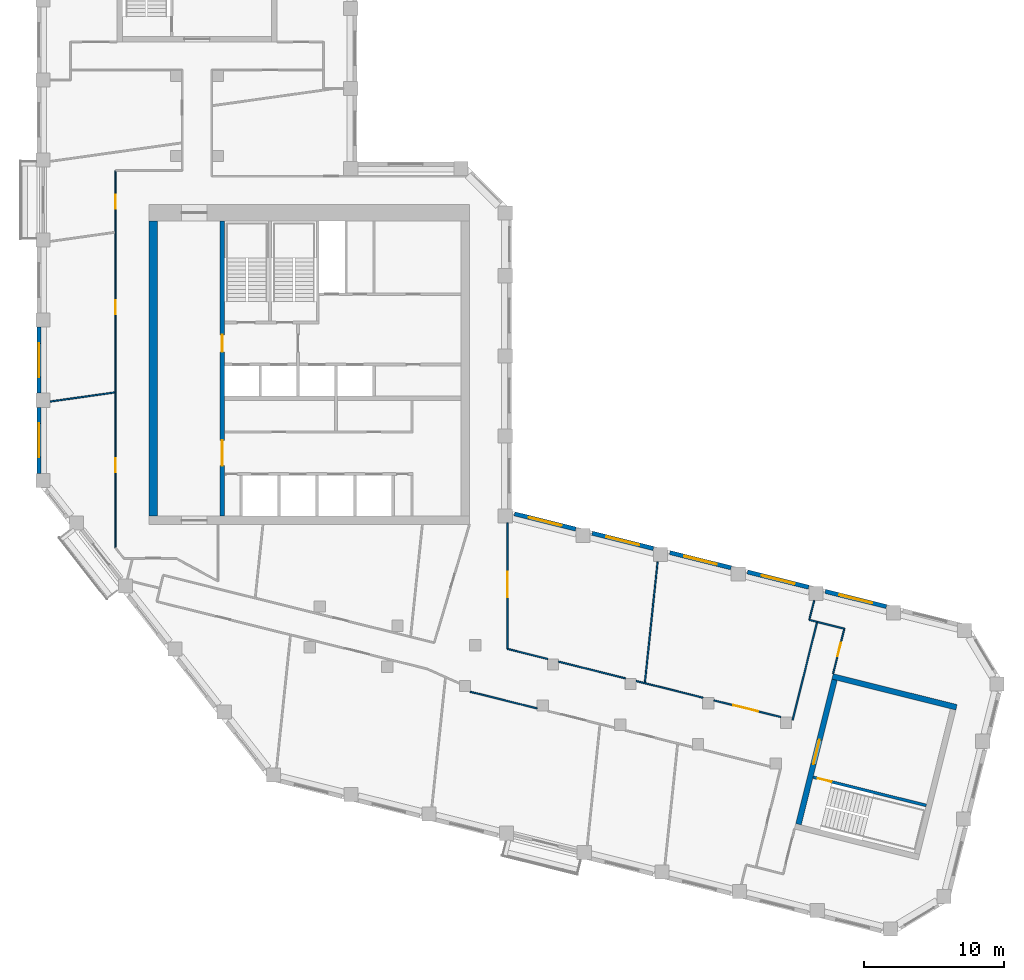
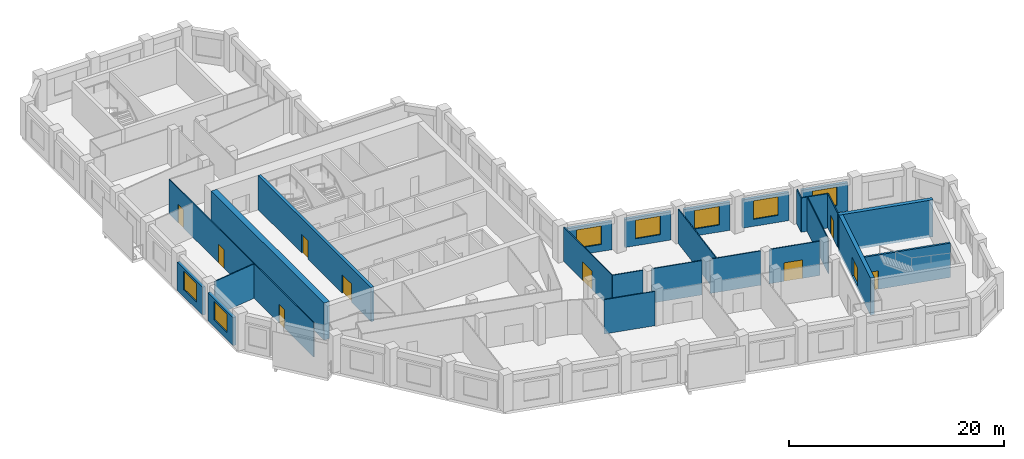
# One storey, part 4 of 9: 26 walls, 10 doors, 7 windows, 17 openings.
"""IFC4 building model written with IfcOpenShell, lengths in metres."""

from ifc_helpers import new_model, si_unit, direction, frame, frame_2d, origin, place, context, subcontext, project, spatial, rectangle, extrude, material, layer, layer_set, type_object, element, fill, save


model = new_model("IFC4")

# Units and contexts
model_context = context("Model", 3, precision=1e-05, world=origin(), true_north=direction((0.0, 1.0)))
body_context = subcontext(model_context, "Body", "Model", "MODEL_VIEW")
ifc_project = project(units=[si_unit("LENGTHUNIT", "METRE"), si_unit("AREAUNIT", "SQUARE_METRE"), si_unit("VOLUMEUNIT", "CUBIC_METRE"), si_unit("PLANEANGLEUNIT", "RADIAN"), si_unit("MASSUNIT", "GRAM", prefix="KILO")], contexts=[model_context])

# Site, building, storey
site_placement = place(None, origin())
site = spatial("IfcSite", under=ifc_project, at=site_placement, CompositionType="ELEMENT")
building_placement = place(site_placement, origin())
building = spatial("IfcBuilding", under=site, at=building_placement, Name="Meshkara Civic Tower", CompositionType="ELEMENT")
storey_placement = place(building_placement, frame((0.0, 0.0, 319.199951171875)))
storey = spatial("IfcBuildingStorey", under=building, at=storey_placement, Name="L73", CompositionType="ELEMENT", Elevation=319.199951171875)

# Wall
ifc_material_1 = material(Name="Concrete C60", Category="concrete")
ifc_layer_1 = layer(ifc_material_1, 0.60009765625)
ifc_layer_set_1 = layer_set([ifc_layer_1], Name="Core ring wall 600 C60")
wall_type_1 = type_object("IfcWallType", Name="Core ring wall 600 C60", PredefinedType="SHEAR", material=ifc_layer_set_1)
wall_1_placement = place(storey_placement, frame((8.300048828125, 14.699951171875, -0.300048828125), z_axis=(0.0, 0.0, 1.0), x_axis=(0.0, 1.0, 0.0)))
element("IfcWall", 1, at=wall_1_placement, inside=storey, type_object=wall_type_1, Name="L73-C003", PredefinedType="SHEAR", context=body_context, shape_type="SweptSolid", body=[
    extrude(rectangle(XDim=21.0, YDim=0.60009765625, at=frame_2d((10.5, 0.0))), origin(), (0.0, 0.0, 1.0), 4.2001953125),
])

# Wall, openings, doors
ifc_material_2 = material(Name="Concrete C60", Category="concrete")
ifc_layer_2 = layer(ifc_material_2, 0.300048828125)
ifc_layer_set_2 = layer_set([ifc_layer_2], Name="Core shear wall 300 C60")
wall_type_2 = type_object("IfcWallType", Name="Core shear wall 300 C60", PredefinedType="SHEAR", material=ifc_layer_set_2)
wall_2_placement = place(storey_placement, frame((13.199951171875, 14.699951171875, 0.0), z_axis=(0.0, 0.0, 1.0), x_axis=(0.0, 1.0, 0.0)))
wall_2 = element("IfcWall", 2, at=wall_2_placement, inside=storey, type_object=wall_type_2, Name="L73-C011", PredefinedType="SHEAR", context=body_context, shape_type="SweptSolid", body=[
    extrude(rectangle(XDim=21.0, YDim=0.300048828125, at=frame_2d((10.5, 0.0))), origin(), (0.0, 0.0, 1.0), 3.900146484375),
])
opening_1_placement = place(wall_2_placement, frame((3.60009765625, 0.0, 0.0)))
opening_1 = element("IfcOpeningElement", 3, at=opening_1_placement, cuts=wall_2, Name="Opening L73-K019", PredefinedType="OPENING", context=body_context, shape_type="SweptSolid", body=[
    extrude(rectangle(XDim=1.800048828125, YDim=2.10009765625, at=frame_2d((0.89990234375, 1.050048828125))), frame((0.0, 0.159912109375, 0.0), z_axis=(0.0, -1.0, 0.0), x_axis=(1.0, 0.0, 0.0)), (0.0, 0.0, 1.0), 0.320068359375),
])
opening_2_placement = place(wall_2_placement, frame((11.699951171875, 0.0, 0.0)))
opening_2 = element("IfcOpeningElement", 4, at=opening_2_placement, cuts=wall_2, Name="Opening L73-K020", PredefinedType="OPENING", context=body_context, shape_type="SweptSolid", body=[
    extrude(rectangle(XDim=1.199951171875, YDim=2.10009765625, at=frame_2d((0.60009765625, 1.050048828125))), frame((0.0, 0.159912109375, 0.0), z_axis=(0.0, -1.0, 0.0), x_axis=(1.0, 0.0, 0.0)), (0.0, 0.0, 1.0), 0.320068359375),
])
ifc_material_3 = material(Name="Fire-rated door leaf in steel frame", Category="steel")
door_type_1 = type_object("IfcDoorType", Name="Core double door 1800 EI 60", OperationType="DOUBLE_DOOR_SINGLE_SWING", PredefinedType="DOOR", material=ifc_material_3)
door_1_placement = place(opening_1_placement, origin())
door_1 = element("IfcDoor", 5, at=door_1_placement, inside=storey, type_object=door_type_1, Name="L73-K019", OperationType="DOUBLE_DOOR_SINGLE_SWING", OverallHeight=2.10009765625, OverallWidth=1.800048828125, PredefinedType="DOOR", context=body_context, shape_type="SweptSolid", body=[
    extrude(rectangle(XDim=1.800048828125, YDim=2.10009765625, at=frame_2d((0.89990234375, 1.050048828125))), frame((0.0, 0.02490234375, 0.0), z_axis=(0.0, -1.0, 0.0), x_axis=(1.0, 0.0, 0.0)), (0.0, 0.0, 1.0), 0.050048828125),
])
fill(opening_1, door_1)
ifc_material_4 = material(Name="Fire-rated door leaf in steel frame", Category="steel")
door_type_2 = type_object("IfcDoorType", Name="Fire-fighting lobby door 1200 EI 120", OperationType="SINGLE_SWING_LEFT", PredefinedType="DOOR", material=ifc_material_4)
door_2_placement = place(opening_2_placement, origin())
door_2 = element("IfcDoor", 6, at=door_2_placement, inside=storey, type_object=door_type_2, Name="L73-K020", OperationType="SINGLE_SWING_LEFT", OverallHeight=2.10009765625, OverallWidth=1.199951171875, PredefinedType="DOOR", context=body_context, shape_type="SweptSolid", body=[
    extrude(rectangle(XDim=1.199951171875, YDim=2.10009765625, at=frame_2d((0.60009765625, 1.050048828125))), frame((0.0, 0.02490234375, 0.0), z_axis=(0.0, -1.0, 0.0), x_axis=(1.0, 0.0, 0.0)), (0.0, 0.0, 1.0), 0.050048828125),
])
fill(opening_2, door_2)

ifc_material_5 = material(Name="Corridor wall 100")
ifc_layer_3 = layer(ifc_material_5, 0.10009765625)
ifc_layer_set_3 = layer_set([ifc_layer_3], Name="Corridor wall 100")
wall_type_3 = type_object("IfcWallType", Name="Corridor wall 100", PredefinedType="PARTITIONING", material=ifc_layer_set_3)
wall_3_placement = place(storey_placement, frame((5.60009765625, 12.449951171875, 0.0), z_axis=(0.0, 0.0, 1.0), x_axis=(0.0, 1.0, 0.0)))
wall_3 = element("IfcWall", 7, at=wall_3_placement, inside=storey, type_object=wall_type_3, Name="L73-W003", PredefinedType="PARTITIONING", context=body_context, shape_type="SweptSolid", body=[
    extrude(rectangle(XDim=26.85009765625, YDim=0.10009765625, at=frame_2d((13.425048828125, 0.0))), origin(), (0.0, 0.0, 1.0), 3.900146484375),
])
opening_3_placement = place(wall_3_placement, frame((5.3798828125, 0.0, 0.0)))
opening_3 = element("IfcOpeningElement", 8, at=opening_3_placement, cuts=wall_3, Name="Opening L73-D013", PredefinedType="OPENING", context=body_context, shape_type="SweptSolid", body=[
    extrude(rectangle(XDim=1.0, YDim=2.10009765625, at=frame_2d((0.5, 1.050048828125))), frame((0.0, 0.06005859375, 0.0), z_axis=(0.0, -1.0, 0.0), x_axis=(1.0, 0.0, 0.0)), (0.0, 0.0, 1.0), 0.1201171875),
])
opening_4_placement = place(wall_3_placement, frame((16.638916015625, 0.0, 0.0)))
opening_4 = element("IfcOpeningElement", 9, at=opening_4_placement, cuts=wall_3, Name="Opening L73-D014", PredefinedType="OPENING", context=body_context, shape_type="SweptSolid", body=[
    extrude(rectangle(XDim=1.0, YDim=2.10009765625, at=frame_2d((0.5, 1.050048828125))), frame((0.0, 0.06005859375, 0.0), z_axis=(0.0, -1.0, 0.0), x_axis=(1.0, 0.0, 0.0)), (0.0, 0.0, 1.0), 0.1201171875),
])
opening_5_placement = place(wall_3_placement, frame((24.138916015625, 0.0, 0.0)))
opening_5 = element("IfcOpeningElement", 10, at=opening_5_placement, cuts=wall_3, Name="Opening L73-D015", PredefinedType="OPENING", context=body_context, shape_type="SweptSolid", body=[
    extrude(rectangle(XDim=1.0, YDim=2.10009765625, at=frame_2d((0.5, 1.050048828125))), frame((0.0, 0.06005859375, 0.0), z_axis=(0.0, -1.0, 0.0), x_axis=(1.0, 0.0, 0.0)), (0.0, 0.0, 1.0), 0.1201171875),
])
ifc_material_6 = material(Name="Door 1000 x 2100")
door_type_3 = type_object("IfcDoorType", Name="Door 1000 x 2100", OperationType="SINGLE_SWING_LEFT", PredefinedType="DOOR", material=ifc_material_6)
door_3_placement = place(opening_3_placement, origin())
door_3 = element("IfcDoor", 11, at=door_3_placement, inside=storey, type_object=door_type_3, Name="L73-D013", OperationType="SINGLE_SWING_RIGHT", OverallHeight=2.10009765625, OverallWidth=1.0, PredefinedType="DOOR", context=body_context, shape_type="SweptSolid", body=[
    extrude(rectangle(XDim=1.0, YDim=2.10009765625, at=frame_2d((0.5, 1.050048828125))), frame((0.0, 0.02490234375, 0.0), z_axis=(0.0, -1.0, 0.0), x_axis=(1.0, 0.0, 0.0)), (0.0, 0.0, 1.0), 0.050048828125),
])
fill(opening_3, door_3)
door_4_placement = place(opening_4_placement, origin())
door_4 = element("IfcDoor", 12, at=door_4_placement, inside=storey, type_object=door_type_3, Name="L73-D014", OperationType="SINGLE_SWING_RIGHT", OverallHeight=2.10009765625, OverallWidth=1.0, PredefinedType="DOOR", context=body_context, shape_type="SweptSolid", body=[
    extrude(rectangle(XDim=1.0, YDim=2.10009765625, at=frame_2d((0.5, 1.050048828125))), frame((0.0, 0.02490234375, 0.0), z_axis=(0.0, -1.0, 0.0), x_axis=(1.0, 0.0, 0.0)), (0.0, 0.0, 1.0), 0.050048828125),
])
fill(opening_4, door_4)
door_5_placement = place(opening_5_placement, origin())
door_5 = element("IfcDoor", 13, at=door_5_placement, inside=storey, type_object=door_type_3, Name="L73-D015", OperationType="SINGLE_SWING_LEFT", OverallHeight=2.10009765625, OverallWidth=1.0, PredefinedType="DOOR", context=body_context, shape_type="SweptSolid", body=[
    extrude(rectangle(XDim=1.0, YDim=2.10009765625, at=frame_2d((0.5, 1.050048828125))), frame((0.0, 0.02490234375, 0.0), z_axis=(0.0, -1.0, 0.0), x_axis=(1.0, 0.0, 0.0)), (0.0, 0.0, 1.0), 0.050048828125),
])
fill(opening_5, door_5)

# Wall
wall_4_placement = place(storey_placement, frame((30.84912109375, 2.201904296875, 0.0), z_axis=(0.0, 0.0, 1.0), x_axis=(0.970320559999, -0.241822271189, 0.0)))
element("IfcWall", 14, at=wall_4_placement, inside=storey, type_object=wall_type_3, Name="L73-W020", PredefinedType="PARTITIONING", context=body_context, shape_type="SweptSolid", body=[
    extrude(rectangle(XDim=4.91259765625, YDim=0.10009765625, at=frame_2d((2.456298828125, 0.0))), origin(), (0.0, 0.0, 1.0), 3.900146484375),
])

# Wall, opening, door
wall_5_placement = place(storey_placement, frame((33.5, 5.2509765625, 0.0), z_axis=(0.0, 0.0, 1.0), x_axis=(0.0, 1.0, 0.0)))
wall_5 = element("IfcWall", 15, at=wall_5_placement, inside=storey, type_object=wall_type_3, Name="L73-W022", PredefinedType="PARTITIONING", context=body_context, shape_type="SweptSolid", body=[
    extrude(rectangle(XDim=8.968017578125, YDim=0.10009765625, at=frame_2d((4.48388671875, 0.0))), origin(), (0.0, 0.0, 1.0), 3.900146484375),
])
opening_6_placement = place(wall_5_placement, frame((3.679931640625, 0.0, 0.0)))
opening_6 = element("IfcOpeningElement", 16, at=opening_6_placement, cuts=wall_5, Name="Opening L73-D012", PredefinedType="OPENING", context=body_context, shape_type="SweptSolid", body=[
    extrude(rectangle(XDim=1.800048828125, YDim=2.10009765625, at=frame_2d((0.89990234375, 1.050048828125))), frame((0.0, 0.06005859375, 0.0), z_axis=(0.0, -1.0, 0.0), x_axis=(1.0, 0.0, 0.0)), (0.0, 0.0, 1.0), 0.1201171875),
])
ifc_material_7 = material(Name="Door pair 1800 x 2100")
door_type_4 = type_object("IfcDoorType", Name="Door pair 1800 x 2100", OperationType="SINGLE_SWING_LEFT", PredefinedType="DOOR", material=ifc_material_7)
door_6_placement = place(opening_6_placement, origin())
door_6 = element("IfcDoor", 17, at=door_6_placement, inside=storey, type_object=door_type_4, Name="L73-D012", OperationType="DOUBLE_DOOR_SINGLE_SWING", OverallHeight=2.10009765625, OverallWidth=1.800048828125, PredefinedType="DOOR", context=body_context, shape_type="SweptSolid", body=[
    extrude(rectangle(XDim=1.800048828125, YDim=2.10009765625, at=frame_2d((0.89990234375, 1.050048828125))), frame((0.0, 0.02490234375, 0.0), z_axis=(0.0, -1.0, 0.0), x_axis=(1.0, 0.0, 0.0)), (0.0, 0.0, 1.0), 0.050048828125),
])
fill(opening_6, door_6)

# Walls
wall_6_placement = place(storey_placement, frame((36.376953125, 4.533935546875, 0.0), z_axis=(0.0, 0.0, 1.0), x_axis=(-0.97031662044, 0.241838078261, 0.0)))
element("IfcWall", 18, at=wall_6_placement, inside=storey, type_object=wall_type_3, Name="L73-W024", PredefinedType="PARTITIONING", context=body_context, shape_type="SweptSolid", body=[
    extrude(rectangle(XDim=2.96484375, YDim=0.10009765625, at=frame_2d((1.482421875, 0.0))), origin(), (0.0, 0.0, 1.0), 3.900146484375),
])
wall_7_placement = place(storey_placement, frame((41.908935546875, 3.155029296875, 0.0), z_axis=(0.0, 0.0, 1.0), x_axis=(-0.970320559999, 0.241822271189, 0.0)))
element("IfcWall", 19, at=wall_7_placement, inside=storey, type_object=wall_type_3, Name="L73-W026", PredefinedType="PARTITIONING", context=body_context, shape_type="SweptSolid", body=[
    extrude(rectangle(XDim=4.91259765625, YDim=0.10009765625, at=frame_2d((2.456298828125, 0.0))), origin(), (0.0, 0.0, 1.0), 3.900146484375),
])
wall_8_placement = place(storey_placement, frame((42.672119140625, 2.965087890625, 0.0), z_axis=(0.0, 0.0, 1.0), x_axis=(0.970273873313, -0.242009526187, 0.0)))
element("IfcWall", 20, at=wall_8_placement, inside=storey, type_object=wall_type_3, Name="L73-W027", PredefinedType="PARTITIONING", context=body_context, shape_type="SweptSolid", body=[
    extrude(rectangle(XDim=4.913818359375, YDim=0.10009765625, at=frame_2d((2.45703125, 0.0))), origin(), (0.0, 0.0, 1.0), 3.900146484375),
])

# Wall, opening, door
wall_9_placement = place(storey_placement, frame((52.971923828125, 0.39697265625, 0.0), z_axis=(0.0, 0.0, 1.0), x_axis=(-0.970300077675, 0.241904442422, 0.0)))
wall_9 = element("IfcWall", 21, at=wall_9_placement, inside=storey, type_object=wall_type_3, Name="L73-W031", PredefinedType="PARTITIONING", context=body_context, shape_type="SweptSolid", body=[
    extrude(rectangle(XDim=4.9150390625, YDim=0.10009765625, at=frame_2d((2.45751953125, 0.0))), origin(), (0.0, 0.0, 1.0), 3.900146484375),
])
opening_7_placement = place(wall_9_placement, frame((1.679931640625, 0.0, 0.0)))
opening_7 = element("IfcOpeningElement", 22, at=opening_7_placement, cuts=wall_9, Name="Opening L73-D006", PredefinedType="OPENING", context=body_context, shape_type="SweptSolid", body=[
    extrude(rectangle(XDim=1.800048828125, YDim=2.10009765625, at=frame_2d((0.89990234375, 1.050048828125))), frame((0.0, 0.06005859375, 0.0), z_axis=(0.0, -1.0, 0.0), x_axis=(1.0, 0.0, 0.0)), (0.0, 0.0, 1.0), 0.1201171875),
])
door_7_placement = place(opening_7_placement, origin())
door_7 = element("IfcDoor", 23, at=door_7_placement, inside=storey, type_object=door_type_4, Name="L73-D006", OperationType="DOUBLE_DOOR_SINGLE_SWING", OverallHeight=2.10009765625, OverallWidth=1.800048828125, PredefinedType="DOOR", context=body_context, shape_type="SweptSolid", body=[
    extrude(rectangle(XDim=1.800048828125, YDim=2.10009765625, at=frame_2d((0.89990234375, 1.050048828125))), frame((0.0, 0.02490234375, 0.0), z_axis=(0.0, -1.0, 0.0), x_axis=(1.0, 0.0, 0.0)), (0.0, 0.0, 1.0), 0.050048828125),
])
fill(opening_7, door_7)

# Wall
wall_10_placement = place(storey_placement, frame((55.555908203125, 7.173095703125, 0.0), z_axis=(0.0, 0.0, 1.0), x_axis=(-0.241937193493, -0.970291911955, 0.0)))
element("IfcWall", 24, at=wall_10_placement, inside=storey, type_object=wall_type_3, Name="L73-W033", PredefinedType="PARTITIONING", context=body_context, shape_type="SweptSolid", body=[
    extrude(rectangle(XDim=7.199951171875, YDim=0.10009765625, at=frame_2d((3.60009765625, 0.0))), origin(), (0.0, 0.0, 1.0), 3.900146484375),
])

# Wall, opening, door
wall_11_placement = place(storey_placement, frame((56.697998046875, 3.487060546875, 0.0), z_axis=(0.0, 0.0, 1.0), x_axis=(0.241856645367, 0.970311992656, 0.0)))
wall_11 = element("IfcWall", 25, at=wall_11_placement, inside=storey, type_object=wall_type_3, Name="L73-W034", PredefinedType="PARTITIONING", context=body_context, shape_type="SweptSolid", body=[
    extrude(rectangle(XDim=3.2998046875, YDim=0.10009765625, at=frame_2d((1.64990234375, 0.0))), origin(), (0.0, 0.0, 1.0), 3.900146484375),
])
opening_8_placement = place(wall_11_placement, frame((1.280029296875, 0.0, 0.0)))
opening_8 = element("IfcOpeningElement", 26, at=opening_8_placement, cuts=wall_11, Name="Opening L73-D007", PredefinedType="OPENING", context=body_context, shape_type="SweptSolid", body=[
    extrude(rectangle(XDim=1.0, YDim=2.10009765625, at=frame_2d((0.5, 1.050048828125))), frame((0.0, 0.06005859375, 0.0), z_axis=(0.0, -1.0, 0.0), x_axis=(1.0, 0.0, 0.0)), (0.0, 0.0, 1.0), 0.1201171875),
])
door_8_placement = place(opening_8_placement, origin())
door_8 = element("IfcDoor", 27, at=door_8_placement, inside=storey, type_object=door_type_3, Name="L73-D007", OperationType="SINGLE_SWING_LEFT", OverallHeight=2.10009765625, OverallWidth=1.0, PredefinedType="DOOR", context=body_context, shape_type="SweptSolid", body=[
    extrude(rectangle(XDim=1.0, YDim=2.10009765625, at=frame_2d((0.5, 1.050048828125))), frame((0.0, 0.02490234375, 0.0), z_axis=(0.0, -1.0, 0.0), x_axis=(1.0, 0.0, 0.0)), (0.0, 0.0, 1.0), 0.050048828125),
])
fill(opening_8, door_8)

# Wall
wall_12_placement = place(storey_placement, frame((57.49609375, 6.68896484375, 0.0), z_axis=(0.0, 0.0, 1.0), x_axis=(-0.970250131019, 0.242104694829, 0.0)))
element("IfcWall", 28, at=wall_12_placement, inside=storey, type_object=wall_type_3, Name="L73-W035", PredefinedType="PARTITIONING", context=body_context, shape_type="SweptSolid", body=[
    extrude(rectangle(XDim=1.999755859375, YDim=0.10009765625, at=frame_2d((1.0, 0.0))), origin(), (0.0, 0.0, 1.0), 3.900146484375),
])

# Wall, opening, window
ifc_material_8 = material(Name="Insulated infill panel with bronze anodised aluminium cladding", Category="aluminium")
ifc_layer_4 = layer(ifc_material_8, 0.300048828125)
ifc_layer_set_4 = layer_set([ifc_layer_4], Name="EXTERNAL INFILL WALL 300")
wall_type_4 = type_object("IfcWallType", Name="EXTERNAL INFILL WALL 300", PredefinedType="SOLIDWALL", material=ifc_layer_set_4)
wall_13_placement = place(storey_placement, frame((60.488037109375, 8.261962890625, 0.0), z_axis=(0.0, 0.0, 1.0), x_axis=(-0.970276766004, 0.241997928406, 0.0)))
wall_13 = element("IfcWall", 29, at=wall_13_placement, inside=storey, type_object=wall_type_4, Name="External wall", PredefinedType="SOLIDWALL", context=body_context, shape_type="SweptSolid", body=[
    extrude(rectangle(XDim=4.4873046875, YDim=0.300048828125, at=frame_2d((2.24365234375, 0.0))), origin(), (0.0, 0.0, 1.0), 3.199951171875),
])
opening_9_placement = place(wall_13_placement, frame((1.0439453125, 0.0, 0.800048828125)))
opening_9 = element("IfcOpeningElement", 30, at=opening_9_placement, cuts=wall_13, Name="Opening W7", PredefinedType="OPENING", context=body_context, shape_type="SweptSolid", body=[
    extrude(rectangle(XDim=2.39990234375, YDim=2.10009765625, at=frame_2d((1.199951171875, 1.050048828125))), frame((0.0, 0.159912109375, 0.0), z_axis=(0.0, -1.0, 0.0), x_axis=(1.0, 0.0, 0.0)), (0.0, 0.0, 1.0), 0.320068359375),
])
ifc_material_9 = material(Name="Tinted double glazing", Category="glass")
window_type = type_object("IfcWindowType", Name="WINDOW 2400x2100", PartitioningType="DOUBLE_PANEL_VERTICAL", PredefinedType="WINDOW", material=ifc_material_9)
window_1_placement = place(opening_9_placement, origin())
window_1 = element("IfcWindow", 31, at=window_1_placement, inside=storey, type_object=window_type, Name="Window", OverallHeight=2.10009765625, OverallWidth=2.39990234375, PartitioningType="DOUBLE_PANEL_VERTICAL", PredefinedType="WINDOW", context=body_context, shape_type="SweptSolid", body=[
    extrude(rectangle(XDim=2.39990234375, YDim=2.10009765625, at=frame_2d((1.199951171875, 1.050048828125))), frame((0.0, 0.030029296875, 0.0), z_axis=(0.0, -1.0, 0.0), x_axis=(1.0, 0.0, 0.0)), (0.0, 0.0, 1.0), 0.06005859375),
])
fill(opening_9, window_1)

wall_14_placement = place(storey_placement, frame((54.9580078125, 9.64111328125, 0.0), z_axis=(0.0, 0.0, 1.0), x_axis=(-0.970289506684, 0.241946839653, 0.0)))
wall_14 = element("IfcWall", 32, at=wall_14_placement, inside=storey, type_object=wall_type_4, Name="External wall", PredefinedType="SOLIDWALL", context=body_context, shape_type="SweptSolid", body=[
    extrude(rectangle(XDim=4.48828125, YDim=0.300048828125, at=frame_2d((2.244140625, 0.0))), origin(), (0.0, 0.0, 1.0), 3.199951171875),
])
opening_10_placement = place(wall_14_placement, frame((1.0439453125, 0.0, 0.800048828125)))
opening_10 = element("IfcOpeningElement", 33, at=opening_10_placement, cuts=wall_14, Name="Opening W7", PredefinedType="OPENING", context=body_context, shape_type="SweptSolid", body=[
    extrude(rectangle(XDim=2.39990234375, YDim=2.10009765625, at=frame_2d((1.199951171875, 1.050048828125))), frame((0.0, 0.159912109375, 0.0), z_axis=(0.0, -1.0, 0.0), x_axis=(1.0, 0.0, 0.0)), (0.0, 0.0, 1.0), 0.320068359375),
])
window_2_placement = place(opening_10_placement, origin())
window_2 = element("IfcWindow", 34, at=window_2_placement, inside=storey, type_object=window_type, Name="Window", OverallHeight=2.10009765625, OverallWidth=2.39990234375, PartitioningType="DOUBLE_PANEL_VERTICAL", PredefinedType="WINDOW", context=body_context, shape_type="SweptSolid", body=[
    extrude(rectangle(XDim=2.39990234375, YDim=2.10009765625, at=frame_2d((1.199951171875, 1.050048828125))), frame((0.0, 0.030029296875, 0.0), z_axis=(0.0, -1.0, 0.0), x_axis=(1.0, 0.0, 0.0)), (0.0, 0.0, 1.0), 0.06005859375),
])
fill(opening_10, window_2)

wall_15_placement = place(storey_placement, frame((49.427001953125, 11.02001953125, 0.0), z_axis=(0.0, 0.0, 1.0), x_axis=(-0.970289506684, 0.241946839653, 0.0)))
wall_15 = element("IfcWall", 35, at=wall_15_placement, inside=storey, type_object=wall_type_4, Name="External wall", PredefinedType="SOLIDWALL", context=body_context, shape_type="SweptSolid", body=[
    extrude(rectangle(XDim=4.48828125, YDim=0.300048828125, at=frame_2d((2.244140625, 0.0))), origin(), (0.0, 0.0, 1.0), 3.199951171875),
])
opening_11_placement = place(wall_15_placement, frame((1.0439453125, 0.0, 0.800048828125)))
opening_11 = element("IfcOpeningElement", 36, at=opening_11_placement, cuts=wall_15, Name="Opening W7", PredefinedType="OPENING", context=body_context, shape_type="SweptSolid", body=[
    extrude(rectangle(XDim=2.39990234375, YDim=2.10009765625, at=frame_2d((1.199951171875, 1.050048828125))), frame((0.0, 0.159912109375, 0.0), z_axis=(0.0, -1.0, 0.0), x_axis=(1.0, 0.0, 0.0)), (0.0, 0.0, 1.0), 0.320068359375),
])
window_3_placement = place(opening_11_placement, origin())
window_3 = element("IfcWindow", 37, at=window_3_placement, inside=storey, type_object=window_type, Name="Window", OverallHeight=2.10009765625, OverallWidth=2.39990234375, PartitioningType="DOUBLE_PANEL_VERTICAL", PredefinedType="WINDOW", context=body_context, shape_type="SweptSolid", body=[
    extrude(rectangle(XDim=2.39990234375, YDim=2.10009765625, at=frame_2d((1.199951171875, 1.050048828125))), frame((0.0, 0.030029296875, 0.0), z_axis=(0.0, -1.0, 0.0), x_axis=(1.0, 0.0, 0.0)), (0.0, 0.0, 1.0), 0.06005859375),
])
fill(opening_11, window_3)

wall_16_placement = place(storey_placement, frame((43.89599609375, 12.39892578125, 0.0), z_axis=(0.0, 0.0, 1.0), x_axis=(-0.970263990019, 0.242049147224, 0.0)))
wall_16 = element("IfcWall", 38, at=wall_16_placement, inside=storey, type_object=wall_type_4, Name="External wall", PredefinedType="SOLIDWALL", context=body_context, shape_type="SweptSolid", body=[
    extrude(rectangle(XDim=4.487548828125, YDim=0.300048828125, at=frame_2d((2.24365234375, 0.0))), origin(), (0.0, 0.0, 1.0), 3.199951171875),
])
opening_12_placement = place(wall_16_placement, frame((1.0439453125, 0.0, 0.800048828125)))
opening_12 = element("IfcOpeningElement", 39, at=opening_12_placement, cuts=wall_16, Name="Opening W7", PredefinedType="OPENING", context=body_context, shape_type="SweptSolid", body=[
    extrude(rectangle(XDim=2.39990234375, YDim=2.10009765625, at=frame_2d((1.199951171875, 1.050048828125))), frame((0.0, 0.159912109375, 0.0), z_axis=(0.0, -1.0, 0.0), x_axis=(1.0, 0.0, 0.0)), (0.0, 0.0, 1.0), 0.320068359375),
])
window_4_placement = place(opening_12_placement, origin())
window_4 = element("IfcWindow", 40, at=window_4_placement, inside=storey, type_object=window_type, Name="Window", OverallHeight=2.10009765625, OverallWidth=2.39990234375, PartitioningType="DOUBLE_PANEL_VERTICAL", PredefinedType="WINDOW", context=body_context, shape_type="SweptSolid", body=[
    extrude(rectangle(XDim=2.39990234375, YDim=2.10009765625, at=frame_2d((1.199951171875, 1.050048828125))), frame((0.0, 0.030029296875, 0.0), z_axis=(0.0, -1.0, 0.0), x_axis=(1.0, 0.0, 0.0)), (0.0, 0.0, 1.0), 0.06005859375),
])
fill(opening_12, window_4)

wall_17_placement = place(storey_placement, frame((38.365966796875, 13.778076171875, 0.0), z_axis=(0.0, 0.0, 1.0), x_axis=(-0.970289506684, 0.241946839653, 0.0)))
wall_17 = element("IfcWall", 41, at=wall_17_placement, inside=storey, type_object=wall_type_4, Name="External wall", PredefinedType="SOLIDWALL", context=body_context, shape_type="SweptSolid", body=[
    extrude(rectangle(XDim=4.48828125, YDim=0.300048828125, at=frame_2d((2.244140625, 0.0))), origin(), (0.0, 0.0, 1.0), 3.199951171875),
])
opening_13_placement = place(wall_17_placement, frame((1.0439453125, 0.0, 0.800048828125)))
opening_13 = element("IfcOpeningElement", 42, at=opening_13_placement, cuts=wall_17, Name="Opening W7", PredefinedType="OPENING", context=body_context, shape_type="SweptSolid", body=[
    extrude(rectangle(XDim=2.39990234375, YDim=2.10009765625, at=frame_2d((1.199951171875, 1.050048828125))), frame((0.0, 0.159912109375, 0.0), z_axis=(0.0, -1.0, 0.0), x_axis=(1.0, 0.0, 0.0)), (0.0, 0.0, 1.0), 0.320068359375),
])
window_5_placement = place(opening_13_placement, origin())
window_5 = element("IfcWindow", 43, at=window_5_placement, inside=storey, type_object=window_type, Name="Window", OverallHeight=2.10009765625, OverallWidth=2.39990234375, PartitioningType="DOUBLE_PANEL_VERTICAL", PredefinedType="WINDOW", context=body_context, shape_type="SweptSolid", body=[
    extrude(rectangle(XDim=2.39990234375, YDim=2.10009765625, at=frame_2d((1.199951171875, 1.050048828125))), frame((0.0, 0.030029296875, 0.0), z_axis=(0.0, -1.0, 0.0), x_axis=(1.0, 0.0, 0.0)), (0.0, 0.0, 1.0), 0.06005859375),
])
fill(opening_13, window_5)

wall_18_placement = place(storey_placement, frame((0.14990234375, 28.155029296875, 0.0), z_axis=(0.0, 0.0, 1.0), x_axis=(0.0, -1.0, 0.0)))
wall_18 = element("IfcWall", 44, at=wall_18_placement, inside=storey, type_object=wall_type_4, Name="External wall", PredefinedType="SOLIDWALL", context=body_context, shape_type="SweptSolid", body=[
    extrude(rectangle(XDim=4.699951171875, YDim=0.300048828125, at=frame_2d((2.35009765625, 0.0))), origin(), (0.0, 0.0, 1.0), 3.199951171875),
])
opening_14_placement = place(wall_18_placement, frame((1.14990234375, 0.0, 0.800048828125)))
opening_14 = element("IfcOpeningElement", 45, at=opening_14_placement, cuts=wall_18, Name="Opening W7", PredefinedType="OPENING", context=body_context, shape_type="SweptSolid", body=[
    extrude(rectangle(XDim=2.39990234375, YDim=2.10009765625, at=frame_2d((1.199951171875, 1.050048828125))), frame((0.0, 0.159912109375, 0.0), z_axis=(0.0, -1.0, 0.0), x_axis=(1.0, 0.0, 0.0)), (0.0, 0.0, 1.0), 0.320068359375),
])
window_6_placement = place(opening_14_placement, origin())
window_6 = element("IfcWindow", 46, at=window_6_placement, inside=storey, type_object=window_type, Name="Window", OverallHeight=2.10009765625, OverallWidth=2.39990234375, PartitioningType="DOUBLE_PANEL_VERTICAL", PredefinedType="WINDOW", context=body_context, shape_type="SweptSolid", body=[
    extrude(rectangle(XDim=2.39990234375, YDim=2.10009765625, at=frame_2d((1.199951171875, 1.050048828125))), frame((0.0, 0.030029296875, 0.0), z_axis=(0.0, -1.0, 0.0), x_axis=(1.0, 0.0, 0.0)), (0.0, 0.0, 1.0), 0.06005859375),
])
fill(opening_14, window_6)

wall_19_placement = place(storey_placement, frame((0.14990234375, 22.455078125, 0.0), z_axis=(0.0, 0.0, 1.0), x_axis=(0.0, -1.0, 0.0)))
wall_19 = element("IfcWall", 47, at=wall_19_placement, inside=storey, type_object=wall_type_4, Name="External wall", PredefinedType="SOLIDWALL", context=body_context, shape_type="SweptSolid", body=[
    extrude(rectangle(XDim=4.7001953125, YDim=0.300048828125, at=frame_2d((2.35009765625, 0.0))), origin(), (0.0, 0.0, 1.0), 3.199951171875),
])
opening_15_placement = place(wall_19_placement, frame((1.14990234375, 0.0, 0.800048828125)))
opening_15 = element("IfcOpeningElement", 48, at=opening_15_placement, cuts=wall_19, Name="Opening W7", PredefinedType="OPENING", context=body_context, shape_type="SweptSolid", body=[
    extrude(rectangle(XDim=2.39990234375, YDim=2.10009765625, at=frame_2d((1.199951171875, 1.050048828125))), frame((0.0, 0.159912109375, 0.0), z_axis=(0.0, -1.0, 0.0), x_axis=(1.0, 0.0, 0.0)), (0.0, 0.0, 1.0), 0.320068359375),
])
window_7_placement = place(opening_15_placement, origin())
window_7 = element("IfcWindow", 49, at=window_7_placement, inside=storey, type_object=window_type, Name="Window", OverallHeight=2.10009765625, OverallWidth=2.39990234375, PartitioningType="DOUBLE_PANEL_VERTICAL", PredefinedType="WINDOW", context=body_context, shape_type="SweptSolid", body=[
    extrude(rectangle(XDim=2.39990234375, YDim=2.10009765625, at=frame_2d((1.199951171875, 1.050048828125))), frame((0.0, 0.030029296875, 0.0), z_axis=(0.0, -1.0, 0.0), x_axis=(1.0, 0.0, 0.0)), (0.0, 0.0, 1.0), 0.06005859375),
])
fill(opening_15, window_7)

# Wall
ifc_material_10 = material(Name="Concrete C60", Category="concrete")
ifc_layer_5 = layer(ifc_material_10, 0.39990234375)
ifc_layer_set_5 = layer_set([ifc_layer_5], Name="End core ring wall 400 C60")
wall_type_5 = type_object("IfcWallType", Name="End core ring wall 400 C60", PredefinedType="SHEAR", material=ifc_layer_set_5)
wall_20_placement = place(storey_placement, frame((56.64892578125, 3.29296875, -0.300048828125), z_axis=(0.0, 0.0, 1.0), x_axis=(0.970312696888, -0.241853820019, 0.0)))
element("IfcWall", 50, at=wall_20_placement, inside=storey, type_object=wall_type_5, Name="L73-C033", PredefinedType="SHEAR", context=body_context, shape_type="SweptSolid", body=[
    extrude(rectangle(XDim=9.100341796875, YDim=0.39990234375, at=frame_2d((4.55029296875, 0.0))), origin(), (0.0, 0.0, 1.0), 4.2001953125),
])

# Wall, opening, door
wall_21_placement = place(storey_placement, frame((54.23095703125, -7.23388671875, -0.300048828125), z_axis=(0.0, 0.0, 1.0), x_axis=(0.241890652548, 0.970303515509, 0.0)))
wall_21 = element("IfcWall", 51, at=wall_21_placement, inside=storey, type_object=wall_type_5, Name="L73-C034", PredefinedType="SHEAR", context=body_context, shape_type="SweptSolid", body=[
    extrude(rectangle(XDim=10.599609375, YDim=0.39990234375, at=frame_2d((5.2998046875, 0.0))), origin(), (0.0, 0.0, 1.0), 4.2001953125),
])
opening_16_placement = place(wall_21_placement, frame((4.39990234375, 0.0, 0.300048828125)))
opening_16 = element("IfcOpeningElement", 52, at=opening_16_placement, cuts=wall_21, Name="Opening L73-K202", PredefinedType="OPENING", context=body_context, shape_type="SweptSolid", body=[
    extrude(rectangle(XDim=1.800048828125, YDim=2.10009765625, at=frame_2d((0.89990234375, 1.050048828125))), frame((0.0, 0.2099609375, 0.0), z_axis=(0.0, -1.0, 0.0), x_axis=(1.0, 0.0, 0.0)), (0.0, 0.0, 1.0), 0.419921875),
])
door_9_placement = place(opening_16_placement, origin())
door_9 = element("IfcDoor", 53, at=door_9_placement, inside=storey, type_object=door_type_1, Name="L73-K202", OperationType="DOUBLE_DOOR_SINGLE_SWING", OverallHeight=2.10009765625, OverallWidth=1.800048828125, PredefinedType="DOOR", context=body_context, shape_type="SweptSolid", body=[
    extrude(rectangle(XDim=1.800048828125, YDim=2.10009765625, at=frame_2d((0.89990234375, 1.050048828125))), frame((0.0, 0.02490234375, 0.0), z_axis=(0.0, -1.0, 0.0), x_axis=(1.0, 0.0, 0.0)), (0.0, 0.0, 1.0), 0.050048828125),
])
fill(opening_16, door_9)

# Walls
ifc_material_11 = material(Name="Partition 100")
ifc_layer_6 = layer(ifc_material_11, 0.10009765625)
ifc_layer_set_6 = layer_set([ifc_layer_6], Name="Partition 100")
wall_type_6 = type_object("IfcWallType", Name="Partition 100", PredefinedType="PARTITIONING", material=ifc_layer_set_6)
wall_22_placement = place(storey_placement, frame((5.54296875, 23.509033203125, 0.0), z_axis=(0.0, 0.0, 1.0), x_axis=(-0.990253516423, -0.139276606839, 0.0)))
element("IfcWall", 54, at=wall_22_placement, inside=storey, type_object=wall_type_6, Name="L73-W038", PredefinedType="PARTITIONING", context=body_context, shape_type="SweptSolid", body=[
    extrude(rectangle(XDim=4.63818359375, YDim=0.10009765625, at=frame_2d((2.319091796875, 0.0))), origin(), (0.0, 0.0, 1.0), 3.900146484375),
])
wall_23_placement = place(storey_placement, frame((43.294921875, 2.867919921875, 0.0), z_axis=(0.0, 0.0, 1.0), x_axis=(0.10451857643, 0.994522934467, 0.0)))
element("IfcWall", 55, at=wall_23_placement, inside=storey, type_object=wall_type_6, Name="L73-W051", PredefinedType="PARTITIONING", context=body_context, shape_type="SweptSolid", body=[
    extrude(rectangle(XDim=8.640380859375, YDim=0.10009765625, at=frame_2d((4.3203125, 0.0))), origin(), (0.0, 0.0, 1.0), 3.900146484375),
])
wall_24_placement = place(storey_placement, frame((55.0009765625, 7.31103515625, 0.0), z_axis=(0.0, 0.0, 1.0), x_axis=(0.24185476373, 0.970312461664, 0.0)))
element("IfcWall", 56, at=wall_24_placement, inside=storey, type_object=wall_type_6, Name="L73-W055", PredefinedType="PARTITIONING", context=body_context, shape_type="SweptSolid", body=[
    extrude(rectangle(XDim=1.434326171875, YDim=0.10009765625, at=frame_2d((0.71728515625, 0.0))), origin(), (0.0, 0.0, 1.0), 3.900146484375),
])
wall_25_placement = place(storey_placement, frame((55.56005859375, 7.172119140625, 0.0), z_axis=(0.0, 0.0, 1.0), x_axis=(-0.970490503334, 0.241139343405, 0.0)))
element("IfcWall", 57, at=wall_25_placement, inside=storey, type_object=wall_type_6, Name="L73-W056", PredefinedType="PARTITIONING", context=body_context, shape_type="SweptSolid", body=[
    extrude(rectangle(XDim=0.576171875, YDim=0.10009765625, at=frame_2d((0.2880859375, 0.0))), origin(), (0.0, 0.0, 1.0), 3.900146484375),
])

# Wall, opening, door
ifc_material_12 = material(Name="Concrete C40/50", Category="concrete")
ifc_layer_7 = layer(ifc_material_12, 0.199951171875)
ifc_layer_set_7 = layer_set([ifc_layer_7], Name="Stair enclosure wall 200 C40/50")
wall_type_7 = type_object("IfcWallType", Name="Stair enclosure wall 200 C40/50", PredefinedType="SOLIDWALL", material=ifc_layer_set_7)
wall_26_placement = place(storey_placement, frame((55.27099609375, -3.886962890625, 0.0), z_axis=(0.0, 0.0, 1.0), x_axis=(0.970296288869, -0.241919639151, 0.0)))
wall_26 = element("IfcWall", 58, at=wall_26_placement, inside=storey, type_object=wall_type_7, Name="L73-C036", PredefinedType="SOLIDWALL", context=body_context, shape_type="SweptSolid", body=[
    extrude(rectangle(XDim=8.300537109375, YDim=0.199951171875, at=frame_2d((4.150390625, 0.0))), origin(), (0.0, 0.0, 1.0), 3.900146484375),
])
opening_17_placement = place(wall_26_placement, frame((0.35009765625, 0.0, 0.0)))
opening_17 = element("IfcOpeningElement", 59, at=opening_17_placement, cuts=wall_26, Name="Opening L73-K201", PredefinedType="OPENING", context=body_context, shape_type="SweptSolid", body=[
    extrude(rectangle(XDim=1.0, YDim=2.10009765625, at=frame_2d((0.5, 1.050048828125))), frame((0.0, 0.10986328125, 0.0), z_axis=(0.0, -1.0, 0.0), x_axis=(1.0, 0.0, 0.0)), (0.0, 0.0, 1.0), 0.219970703125),
])
ifc_material_13 = material(Name="Fire-rated door leaf in steel frame", Category="steel")
door_type_5 = type_object("IfcDoorType", Name="Stair door 1000 EI 120", OperationType="SINGLE_SWING_LEFT", PredefinedType="DOOR", material=ifc_material_13)
door_10_placement = place(opening_17_placement, origin())
door_10 = element("IfcDoor", 60, at=door_10_placement, inside=storey, type_object=door_type_5, Name="L73-K201", OperationType="SINGLE_SWING_LEFT", OverallHeight=2.10009765625, OverallWidth=1.0, PredefinedType="DOOR", context=body_context, shape_type="SweptSolid", body=[
    extrude(rectangle(XDim=1.0, YDim=2.10009765625, at=frame_2d((0.5, 1.050048828125))), frame((0.0, 0.02490234375, 0.0), z_axis=(0.0, -1.0, 0.0), x_axis=(1.0, 0.0, 0.0)), (0.0, 0.0, 1.0), 0.050048828125),
])
fill(opening_17, door_10)

save(model, "model.ifc")
